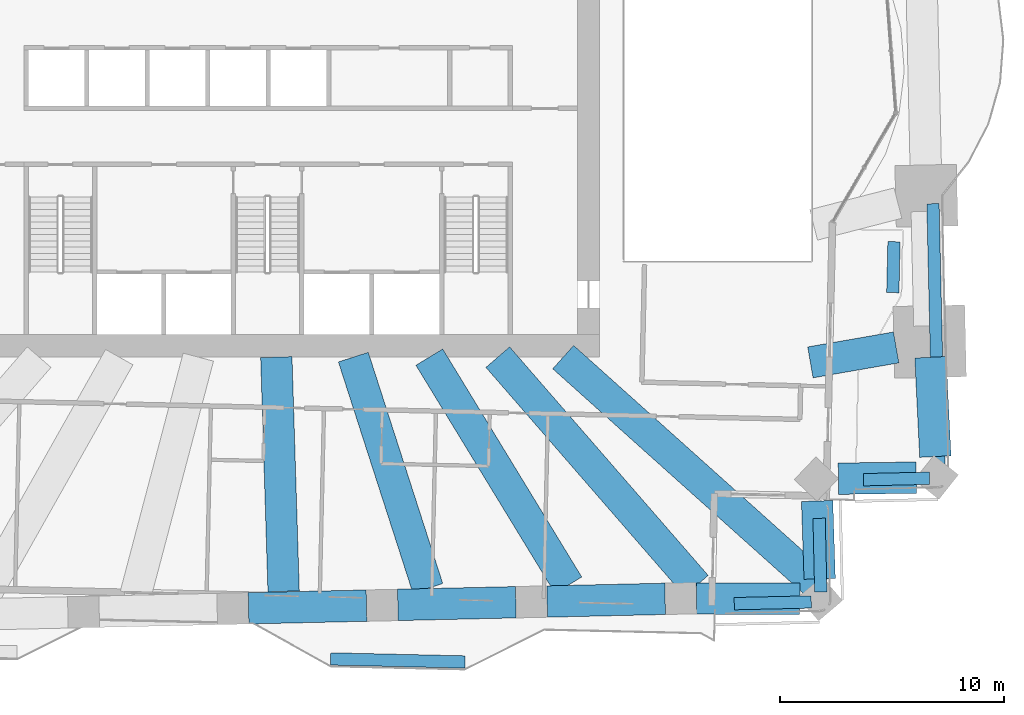
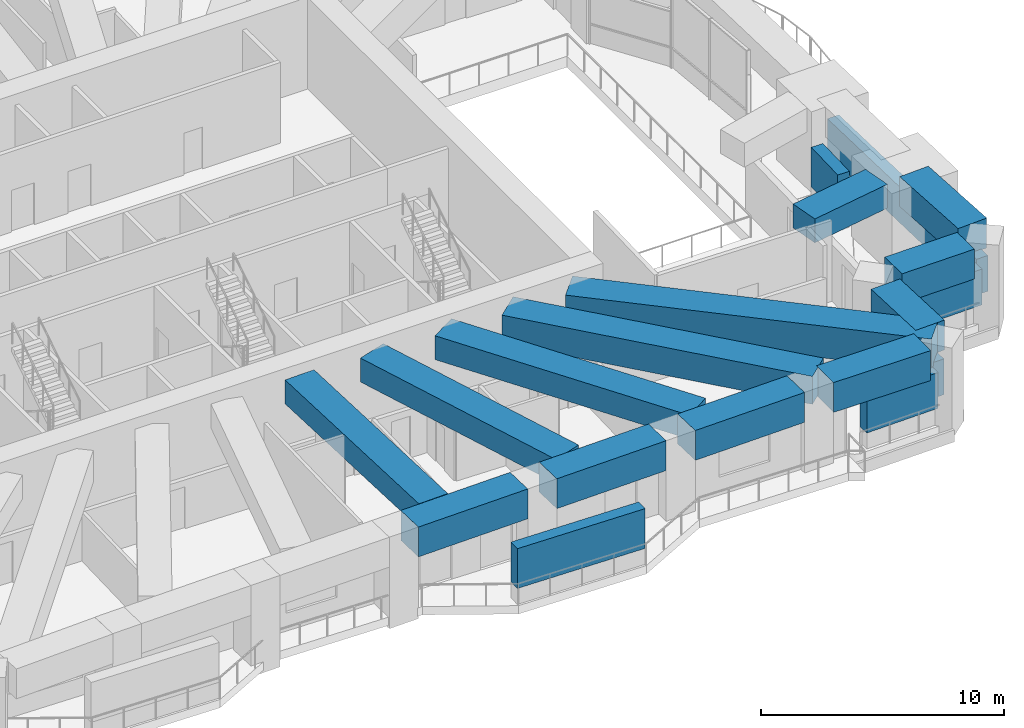
# One storey, part 3 of 20: 13 beams, 6 members.
"""IFC4 building model written with IfcOpenShell, lengths in metres."""

from ifc_helpers import new_model, si_unit, direction, frame, origin, origin_2d, place, context, subcontext, project, spatial, rectangle, extrude, material, material_profile, profile_set, type_object, element, save


model = new_model("IFC4")

# Units and contexts
model_context = context("Model", 3, precision=1e-05, world=origin(), true_north=direction((0.0, 1.0)))
body_context = subcontext(model_context, "Body", "Model", "MODEL_VIEW")
ifc_project = project(units=[si_unit("LENGTHUNIT", "METRE"), si_unit("AREAUNIT", "SQUARE_METRE"), si_unit("VOLUMEUNIT", "CUBIC_METRE"), si_unit("PLANEANGLEUNIT", "RADIAN"), si_unit("MASSUNIT", "GRAM", prefix="KILO")], contexts=[model_context])

# Site, building, storey
site_placement = place(None, origin())
site = spatial("IfcSite", under=ifc_project, at=site_placement, CompositionType="ELEMENT")
building_placement = place(site_placement, origin())
building = spatial("IfcBuilding", under=site, at=building_placement, Name="Mangrove Gate Tower", CompositionType="ELEMENT")
storey_placement = place(building_placement, frame((0.0, 0.0, 97.300048828125)))
storey = spatial("IfcBuildingStorey", under=building, at=storey_placement, Name="L24", CompositionType="ELEMENT", Elevation=97.300048828125)

# Members
ifc_material_1 = material(Name="Planting on aluminium trellis", Category="aluminium")
ifc_material_profile_1 = material_profile(ifc_material_1, rectangle(XDim=0.550048828125, YDim=2.0, at=origin_2d()))
ifc_profile_set_1 = profile_set([ifc_material_profile_1], Name="Planting on aluminium trellis")
member_type_1 = type_object("IfcMemberType", Name="Balcony greenery screen 550x2000", PredefinedType="USERDEFINED", material=ifc_profile_set_1)
member_1_placement = place(storey_placement, frame((27.885986328125, -8.922119140625, 1.800048828125), z_axis=(0.023289440883, 0.999728764187, 0.0), x_axis=(-0.999728764187, 0.023289440883, 0.0)))
element("IfcMember", 1, at=member_1_placement, inside=storey, type_object=member_type_1, Name="GREEN SCREEN L24 E0.1", ObjectType="PLANTING", PredefinedType="USERDEFINED", context=body_context, shape_type="SweptSolid", body=[
    extrude(rectangle(XDim=0.550048828125, YDim=2.0, at=origin_2d()), origin(), (0.0, 0.0, 1.0), 2.27490234375),
])
member_2_placement = place(storey_placement, frame((2.7900390625, -25.27197265625, 1.800048828125), z_axis=(0.999743178102, -0.022662255828, 0.0), x_axis=(0.022662255828, 0.999743178102, 0.0)))
element("IfcMember", 2, at=member_2_placement, inside=storey, type_object=member_type_1, Name="GREEN SCREEN L24 S1.1", ObjectType="PLANTING", PredefinedType="USERDEFINED", context=body_context, shape_type="SweptSolid", body=[
    extrude(rectangle(XDim=0.550048828125, YDim=2.0, at=origin_2d()), origin(), (0.0, 0.0, 1.0), 6.00048828125),
])
ifc_material_2 = material(Name="Planting on aluminium trellis", Category="aluminium")
ifc_material_profile_2 = material_profile(ifc_material_2, rectangle(XDim=0.550048828125, YDim=1.800048828125, at=origin_2d()))
ifc_profile_set_2 = profile_set([ifc_material_profile_2], Name="Planting on aluminium trellis")
member_type_2 = type_object("IfcMemberType", Name="Roof greenery screen 550x1800", PredefinedType="USERDEFINED", material=ifc_profile_set_2)
member_3_placement = place(storey_placement, frame((29.677978515625, -4.951904296875, 1.699951171875), z_axis=(0.022692298782, -0.999742496634, 0.0), x_axis=(0.999742496634, 0.022692298782, 0.0)))
element("IfcMember", 3, at=member_3_placement, inside=storey, type_object=member_type_2, Name="GREEN SCREEN L24 T1.2.33", ObjectType="PLANTING", PredefinedType="USERDEFINED", context=body_context, shape_type="SweptSolid", body=[
    extrude(rectangle(XDim=0.550048828125, YDim=1.800048828125, at=origin_2d()), origin(), (0.0, 0.0, 1.0), 11.81298828125),
])
member_4_placement = place(storey_placement, frame((29.52099609375, -17.2060546875, 1.699951171875), z_axis=(-0.999742647035, -0.022685671659, 0.0), x_axis=(0.022685671659, -0.999742647035, 0.0)))
element("IfcMember", 4, at=member_4_placement, inside=storey, type_object=member_type_2, Name="GREEN SCREEN L24 T1.3.6", ObjectType="PLANTING", PredefinedType="USERDEFINED", context=body_context, shape_type="SweptSolid", body=[
    extrude(rectangle(XDim=0.550048828125, YDim=1.800048828125, at=origin_2d()), origin(), (0.0, 0.0, 1.0), 2.94873046875),
])
member_5_placement = place(storey_placement, frame((24.594970703125, -18.9951171875, 1.699951171875), z_axis=(0.022790544321, -0.999740261813, 0.0), x_axis=(0.999740261813, 0.022790544321, 0.0)))
element("IfcMember", 5, at=member_5_placement, inside=storey, type_object=member_type_2, Name="GREEN SCREEN L24 T2.1.6", ObjectType="PLANTING", PredefinedType="USERDEFINED", context=body_context, shape_type="SweptSolid", body=[
    extrude(rectangle(XDim=0.550048828125, YDim=1.800048828125, at=origin_2d()), origin(), (0.0, 0.0, 1.0), 3.28857421875),
])
member_6_placement = place(storey_placement, frame((24.2451171875, -22.72802734375, 1.699951171875), z_axis=(-0.99974337306, -0.022653653644, 0.0), x_axis=(0.022653653644, -0.99974337306, 0.0)))
element("IfcMember", 6, at=member_6_placement, inside=storey, type_object=member_type_2, Name="GREEN SCREEN L24 T2.2.6", ObjectType="PLANTING", PredefinedType="USERDEFINED", context=body_context, shape_type="SweptSolid", body=[
    extrude(rectangle(XDim=0.550048828125, YDim=1.800048828125, at=origin_2d()), origin(), (0.0, 0.0, 1.0), 3.43798828125),
])

# Beams
ifc_material_3 = material(Name="Concrete C70/85", Category="concrete")
ifc_material_profile_3 = material_profile(ifc_material_3, rectangle(XDim=1.39990234375, YDim=1.199951171875, at=origin_2d()))
ifc_profile_set_3 = profile_set([ifc_material_profile_3], Name="Concrete C70/85")
beam_type_1 = type_object("IfcBeamType", Name="Transfer girder RC 1400x1200 C70/85", PredefinedType="BEAM", material=ifc_profile_set_3)
beam_1_placement = place(storey_placement, frame((0.36669921875, -11.800048828125, 3.449951171875), z_axis=(0.031061353387, -0.99951747975, 0.0), x_axis=(0.99951747975, 0.031061353387, 0.0)))
element("IfcBeam", 7, at=beam_1_placement, inside=storey, type_object=beam_type_1, Name="Transfer girder L24 08", PredefinedType="BEAM", context=body_context, shape_type="SweptSolid", body=[
    extrude(rectangle(XDim=1.39990234375, YDim=1.199951171875, at=origin_2d()), origin(), (0.0, 0.0, 1.0), 10.461669921875),
])
beam_2_placement = place(storey_placement, frame((3.803466796875, -11.800048828125, 3.449951171875), z_axis=(0.306804126092, -0.951772676753, 0.0), x_axis=(0.951772676753, 0.306804126092, 0.0)))
element("IfcBeam", 8, at=beam_2_placement, inside=storey, type_object=beam_type_1, Name="Transfer girder L24 09", PredefinedType="BEAM", context=body_context, shape_type="SweptSolid", body=[
    extrude(rectangle(XDim=1.39990234375, YDim=1.199951171875, at=origin_2d()), origin(), (0.0, 0.0, 1.0), 10.844482421875),
])
beam_3_placement = place(storey_placement, frame((7.195556640625, -11.800048828125, 3.449951171875), z_axis=(0.520638008039, -0.853777526399, 0.0), x_axis=(0.853777526399, 0.520638008039, 0.0)))
element("IfcBeam", 9, at=beam_3_placement, inside=storey, type_object=beam_type_1, Name="Transfer girder L24 10", PredefinedType="BEAM", context=body_context, shape_type="SweptSolid", body=[
    extrude(rectangle(XDim=1.39990234375, YDim=1.199951171875, at=origin_2d()), origin(), (0.0, 0.0, 1.0), 11.921875),
])
beam_4_placement = place(storey_placement, frame((28.03662109375, -11.367431640625, 3.449951171875), z_axis=(-0.985169794081, -0.17158227423, 0.0), x_axis=(0.17158227423, -0.985169794081, 0.0)))
element("IfcBeam", 10, at=beam_4_placement, inside=storey, type_object=beam_type_1, Name="Transfer edge girder L24 14", PredefinedType="BEAM", context=body_context, shape_type="SweptSolid", body=[
    extrude(rectangle(XDim=1.39990234375, YDim=1.199951171875, at=origin_2d()), origin(), (0.0, 0.0, 1.0), 3.888671875),
])
ifc_material_4 = material(Name="Concrete C70/85", Category="concrete")
ifc_material_profile_4 = material_profile(ifc_material_4, rectangle(XDim=1.39990234375, YDim=1.39990234375, at=origin_2d()))
ifc_profile_set_4 = profile_set([ifc_material_profile_4], Name="Concrete C70/85")
beam_type_2 = type_object("IfcBeamType", Name="Transfer girder RC 1400x1400 C70/85", PredefinedType="BEAM", material=ifc_profile_set_4)
beam_5_placement = place(storey_placement, frame((10.251220703125, -11.800048828125, 3.349853515625), z_axis=(0.655831618057, -0.754907205394, 0.0), x_axis=(0.754907205394, 0.655831618057, 0.0)))
element("IfcBeam", 11, at=beam_5_placement, inside=storey, type_object=beam_type_2, Name="Transfer girder L24 11", PredefinedType="BEAM", context=body_context, shape_type="SweptSolid", body=[
    extrude(rectangle(XDim=1.39990234375, YDim=1.39990234375, at=origin_2d()), origin(), (0.0, 0.0, 1.0), 13.51611328125),
])
ifc_material_5 = material(Name="Concrete C70/85", Category="concrete")
ifc_material_profile_5 = material_profile(ifc_material_5, rectangle(XDim=1.39990234375, YDim=1.5, at=origin_2d()))
ifc_profile_set_5 = profile_set([ifc_material_profile_5], Name="Concrete C70/85")
beam_type_3 = type_object("IfcBeamType", Name="Transfer girder RC 1400x1500 C70/85", PredefinedType="BEAM", material=ifc_profile_set_5)
for number, where, z_axis, x_axis, name in (
    (12, (-0.875, -23.01220703125, 3.300048828125), (0.999744198889, 0.022617179039, 0.0), (-0.022617179039, 0.999744198889, 0.0), "Transfer ring girder L24 07"),
    (13, (5.791015625, -22.861328125, 3.300048828125), (0.999743149854, 0.022663501937, 0.0), (-0.022663501937, 0.999743149854, 0.0), "Transfer ring girder L24 08"),
):
    element("IfcBeam", number, at=place(storey_placement, frame(where, z_axis=z_axis, x_axis=x_axis)), inside=storey, type_object=beam_type_3, Name=name, PredefinedType="BEAM", context=body_context, shape_type="SweptSolid", body=[
        extrude(rectangle(XDim=1.39990234375, YDim=1.5, at=origin_2d()), origin(), (0.0, 0.0, 1.0), 5.267822265625),
    ])
beam_6_placement = place(storey_placement, frame((12.45703125, -22.710205078125, 3.300048828125), z_axis=(0.999739869352, 0.022807753673, 0.0), x_axis=(-0.022807753673, 0.999739869352, 0.0)))
element("IfcBeam", 14, at=beam_6_placement, inside=storey, type_object=beam_type_3, Name="Transfer ring girder L24 09", PredefinedType="BEAM", context=body_context, shape_type="SweptSolid", body=[
    extrude(rectangle(XDim=1.39990234375, YDim=1.5, at=origin_2d()), origin(), (0.0, 0.0, 1.0), 5.2666015625),
])
beam_7_placement = place(storey_placement, frame((19.122314453125, -22.575927734375, 3.300048828125), z_axis=(0.999997159537, -0.002383467806, 0.0), x_axis=(0.002383467806, 0.999997159537, 0.0)))
element("IfcBeam", 15, at=beam_7_placement, inside=storey, type_object=beam_type_3, Name="Transfer ring girder L24 10", PredefinedType="BEAM", context=body_context, shape_type="SweptSolid", body=[
    extrude(rectangle(XDim=1.39990234375, YDim=1.5, at=origin_2d()), origin(), (0.0, 0.0, 1.0), 4.609375),
])
beam_8_placement = place(storey_placement, frame((24.6220703125, -21.696044921875, 3.300048828125), z_axis=(-0.032791124053, 0.999462226491, 0.0), x_axis=(-0.999462226491, -0.032791124053, 0.0)))
element("IfcBeam", 16, at=beam_8_placement, inside=storey, type_object=beam_type_3, Name="Transfer ring girder L24 11", PredefinedType="BEAM", context=body_context, shape_type="SweptSolid", body=[
    extrude(rectangle(XDim=1.39990234375, YDim=1.5, at=origin_2d()), origin(), (0.0, 0.0, 1.0), 3.47705078125),
])
beam_9_placement = place(storey_placement, frame((25.45703125, -17.227783203125, 3.300048828125), z_axis=(0.999905009067, 0.013783063632, 0.0), x_axis=(-0.013783063632, 0.999905009067, 0.0)))
element("IfcBeam", 17, at=beam_9_placement, inside=storey, type_object=beam_type_3, Name="Transfer ring girder L24 12", PredefinedType="BEAM", context=body_context, shape_type="SweptSolid", body=[
    extrude(rectangle(XDim=1.39990234375, YDim=1.5, at=origin_2d()), origin(), (0.0, 0.0, 1.0), 3.4716796875),
])
beam_10_placement = place(storey_placement, frame((29.78515625, -16.23876953125, 3.300048828125), z_axis=(-0.049235214486, 0.998787211399, 0.0), x_axis=(-0.998787211399, -0.049235214486, 0.0)))
element("IfcBeam", 18, at=beam_10_placement, inside=storey, type_object=beam_type_3, Name="Transfer ring girder L24 13", PredefinedType="BEAM", context=body_context, shape_type="SweptSolid", body=[
    extrude(rectangle(XDim=1.39990234375, YDim=1.5, at=origin_2d()), origin(), (0.0, 0.0, 1.0), 4.43798828125),
])
ifc_material_6 = material(Name="Concrete C70/85", Category="concrete")
ifc_material_profile_6 = material_profile(ifc_material_6, rectangle(XDim=1.39990234375, YDim=1.60009765625, at=origin_2d()))
ifc_profile_set_6 = profile_set([ifc_material_profile_6], Name="Concrete C70/85")
beam_type_4 = type_object("IfcBeamType", Name="Transfer girder RC 1400x1600 C70/85", PredefinedType="BEAM", material=ifc_profile_set_6)
beam_11_placement = place(storey_placement, frame((13.17138671875, -11.800048828125, 3.25), z_axis=(0.744812997599, -0.667273256326, 0.0), x_axis=(0.667273256326, 0.744812997599, 0.0)))
element("IfcBeam", 19, at=beam_11_placement, inside=storey, type_object=beam_type_4, Name="Transfer girder L24 12", PredefinedType="BEAM", context=body_context, shape_type="SweptSolid", body=[
    extrude(rectangle(XDim=1.39990234375, YDim=1.60009765625, at=origin_2d()), origin(), (0.0, 0.0, 1.0), 15.390380859375),
])

save(model, "model.ifc")
